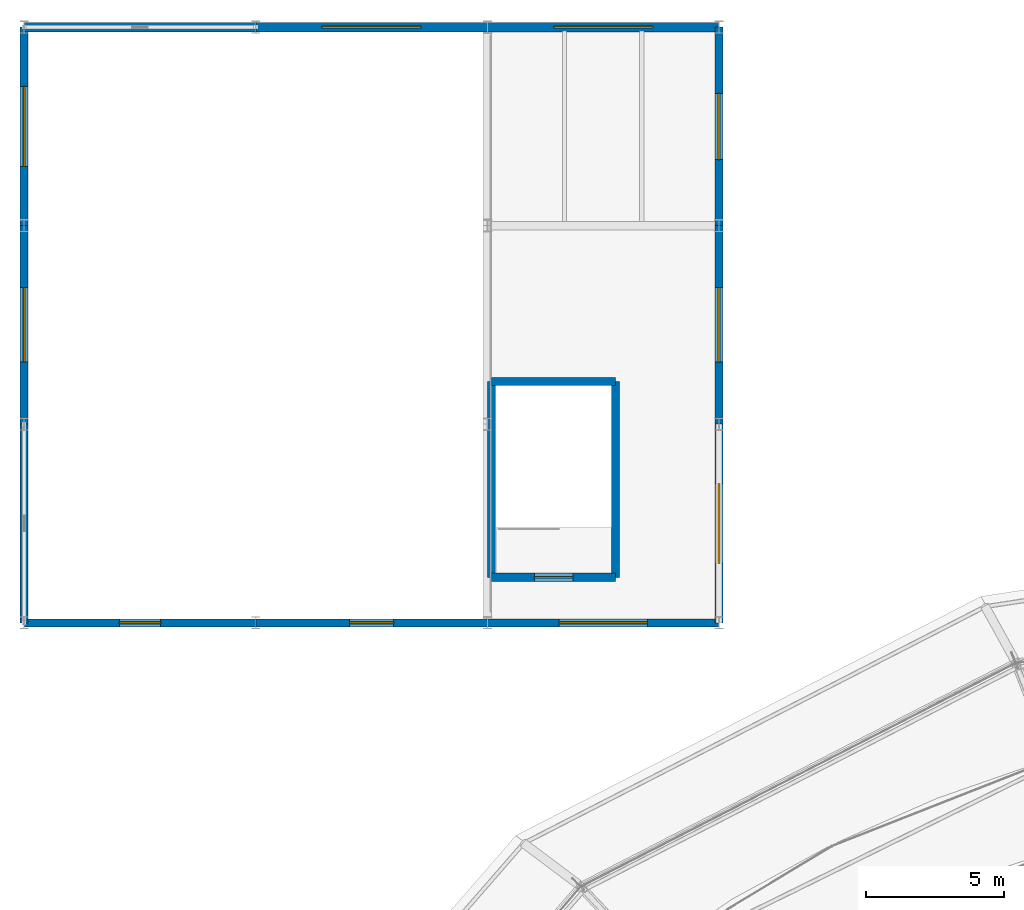
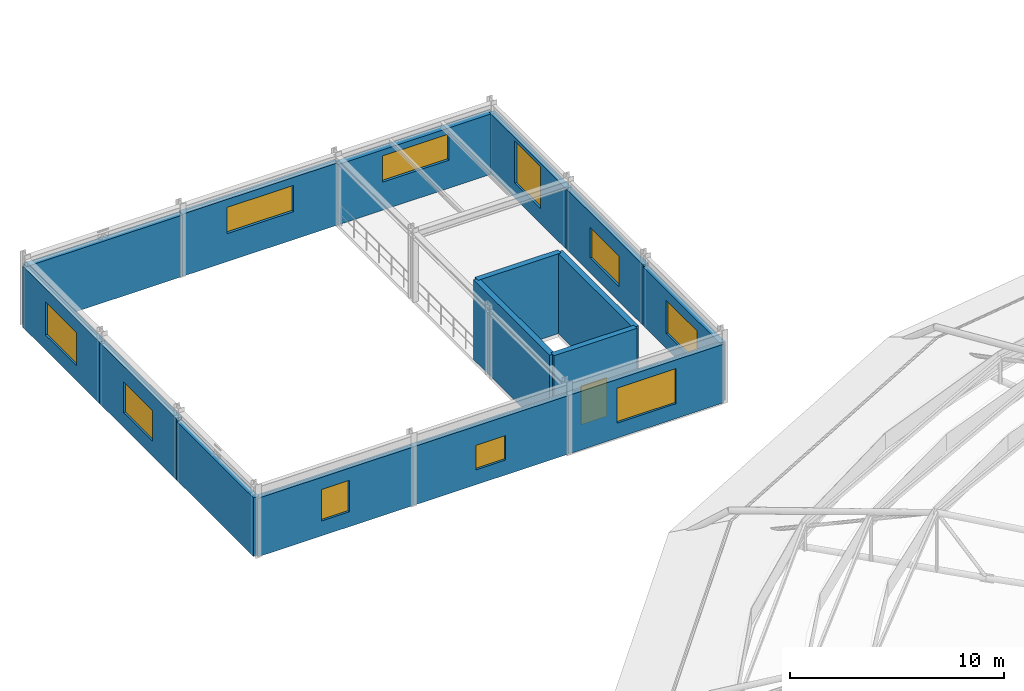
# One storey, part 128 of 134: 16 walls, 10 windows, 1 door, 11 openings.
"""IFC4 building model written with IfcOpenShell, lengths in metres."""

import ifcopenshell
import ifcopenshell.guid

model = None  # the IFC model being written
_history = None  # IfcOwnerHistory: only IFC2X3 demands one
_inside = {}  # id of a spatial element -> (the spatial element, [elements in it])
_under = {}  # id of a project, library or spatial element -> (it, [spatial elements below it])
_declared = {}  # id of a project -> (the project, [libraries it declares])
_typed = {}  # id of a type object -> (the type object, [elements of that type])
_made_of = {}  # id of a material, layer set ... -> (it, [elements and type objects made of it])


def new_model(schema):
    """Start an empty IFC model of exactly this schema.

    Asked for "IFC4X3", IfcOpenShell would pick the latest addendum, in which some entities
    have other attributes; the version numbers below select the first issue.
    IFC2X3 requires an IfcOwnerHistory on every rooted entity: one is made here for all.
    """
    global model, _history
    if schema == "IFC4X3":
        model = ifcopenshell.file(schema_version=(4, 3, 0, 0))
    else:
        model = ifcopenshell.file(schema=schema)
    _inside.clear()
    _under.clear()
    _declared.clear()
    _typed.clear()
    _made_of.clear()
    _history = None
    if model.schema == "IFC2X3":
        org = make("IfcOrganization", Name="unknown")
        user = make(
            "IfcPersonAndOrganization",
            ThePerson=make("IfcPerson", FamilyName="unknown"),
            TheOrganization=org,
        )
        app = make(
            "IfcApplication",
            ApplicationDeveloper=org,
            Version="unknown",
            ApplicationFullName="unknown",
            ApplicationIdentifier="unknown",
        )
        _history = make(
            "IfcOwnerHistory",
            OwningUser=user,
            OwningApplication=app,
            ChangeAction="ADDED",
            CreationDate=0,
        )
    return model


def make(cls, **values):
    """One entity of the class cls with the attributes given. An attribute that is None is left unset."""
    return model.create_entity(
        cls, **{name: value for name, value in values.items() if value is not None}
    )


def rooted(cls, **values):
    """An entity with a GlobalId (a new one), such as an element, a storey or a relation."""
    return make(cls, GlobalId=ifcopenshell.guid.new(), OwnerHistory=_history, **values)


def si_unit(unit_type, name, prefix=None):
    """IfcSIUnit, for example si_unit("LENGTHUNIT", "METRE", prefix="MILLI")."""
    return make("IfcSIUnit", UnitType=unit_type, Prefix=prefix, Name=name)


def derived_unit(unit_type, elements):
    """IfcDerivedUnit: a product of units, each with its exponent."""
    return make(
        "IfcDerivedUnit",
        Elements=[
            make("IfcDerivedUnitElement", Unit=unit, Exponent=power)
            for unit, power in elements
        ],
        UnitType=unit_type,
    )


def assignment(units):
    """IfcUnitAssignment: the units of a project."""
    return None if units is None else make("IfcUnitAssignment", Units=units)


def point(xyz):
    """IfcCartesianPoint."""
    return None if xyz is None else make("IfcCartesianPoint", Coordinates=xyz)


def direction(xyz):
    """IfcDirection."""
    return None if xyz is None else make("IfcDirection", DirectionRatios=xyz)


def frame(location, z_axis=None, x_axis=None):
    """IfcAxis2Placement3D, a coordinate frame: its origin and axes. An axis left out is left unset."""
    return make(
        "IfcAxis2Placement3D",
        Location=point(location),
        Axis=direction(z_axis),
        RefDirection=direction(x_axis),
    )


def frame_2d(location, x_axis=None):
    """IfcAxis2Placement2D, a coordinate frame in the plane: its origin and x axis."""
    return make(
        "IfcAxis2Placement2D", Location=point(location), RefDirection=direction(x_axis)
    )


def origin():
    """The frame at (0, 0, 0) with its axes left unset."""
    return frame((0.0, 0.0, 0.0))


def place(relative_to, where):
    """IfcLocalPlacement: puts the frame where relative to a parent placement (None: the world)."""
    return make(
        "IfcLocalPlacement", PlacementRelTo=relative_to, RelativePlacement=where
    )


def context(
    kind, dimensions, precision=None, world=None, true_north=None, identifier=None
):
    """IfcGeometricRepresentationContext, for example the 3D "Model" context."""
    return make(
        "IfcGeometricRepresentationContext",
        ContextIdentifier=identifier,
        ContextType=kind,
        CoordinateSpaceDimension=dimensions,
        Precision=precision,
        WorldCoordinateSystem=world,
        TrueNorth=true_north,
    )


def subcontext(parent, identifier, kind, view, scale=None):
    """IfcGeometricRepresentationSubContext, for example "Body" below "Model"."""
    return make(
        "IfcGeometricRepresentationSubContext",
        ContextIdentifier=identifier,
        ContextType=kind,
        ParentContext=parent,
        TargetScale=scale,
        TargetView=view,
    )


def project(units=None, contexts=None):
    """IfcProject with its units and contexts."""
    return rooted(
        "IfcProject",
        Name="project",
        RepresentationContexts=contexts,
        UnitsInContext=assignment(units),
    )


def spatial(cls, under=None, at=None, **own):
    """A site, building, storey or space (cls), placed at a placement, below another one or the project."""
    s = rooted(cls, ObjectPlacement=at, **own)
    if under is not None:
        _under.setdefault(under.id(), (under, []))[1].append(s)
    return s


def profile(cls, at=None, kind="AREA", **sizes):
    """A parametric profile (cls). Its sizes go by their IFC names, for example OverallWidth=200.0."""
    return make(cls, ProfileType=kind, Position=at, **sizes)


def rectangle(**sizes):
    """IfcRectangleProfileDef."""
    return profile("IfcRectangleProfileDef", **sizes)


def extrude(swept, where, along, depth):
    """IfcExtrudedAreaSolid: the profile swept, set in the frame where, extruded along a direction by depth."""
    return make(
        "IfcExtrudedAreaSolid",
        SweptArea=swept,
        Position=where,
        ExtrudedDirection=direction(along),
        Depth=depth,
    )


def shape(context_of_items, identifier, shape_type, items):
    """IfcShapeRepresentation: the items that make up one representation, for example the "Body"."""
    return make(
        "IfcShapeRepresentation",
        ContextOfItems=context_of_items,
        RepresentationIdentifier=identifier,
        RepresentationType=shape_type,
        Items=items,
    )


def material(Name=None, Category=None):
    """IfcMaterial."""
    return make("IfcMaterial", Name=Name, Category=Category)


def layer(
    of_material, thickness, ventilated=None, Name=None, Category=None, Priority=None
):
    """IfcMaterialLayer: one layer of a wall or slab, of a material (None: an air gap)."""
    return make(
        "IfcMaterialLayer",
        Material=of_material,
        LayerThickness=thickness,
        IsVentilated=ventilated,
        Name=Name,
        Category=Category,
        Priority=Priority,
    )


def layer_set(layers, Name=None):
    """IfcMaterialLayerSet."""
    return make("IfcMaterialLayerSet", MaterialLayers=layers, LayerSetName=Name)


def made_of(thing, what):
    """Note that an element or type object is made of a material, layer set ...; save() writes the relation."""
    if what is not None:
        _made_of.setdefault(what.id(), (what, []))[1].append(thing)
    return thing


def type_object(cls, material=None, **own):
    """A type object (cls), such as IfcWallType, which elements share."""
    return made_of(rooted(cls, **own), material)


def element(
    cls,
    number,
    at=None,
    inside=None,
    cuts=None,
    type_object=None,
    material=None,
    context=None,
    identifier="Body",
    shape_type=None,
    held_by="IfcProductDefinitionShape",
    body=None,
    shapes=None,
    **own,
):
    """One element of the class cls, such as IfcWall. Its Tag is "e" and its number.

    at: its placement. inside: the storey or other place that contains it. cuts: it is an
    opening in that element (IfcRelVoidsElement). A single representation is given by context,
    identifier, shape_type and body (its items); several are given by shapes. held_by: the class
    of the entity that holds the representations. save() writes the other relations.
    """
    e = rooted(cls, Tag="e%d" % number, ObjectPlacement=at, **own)
    if body is not None:
        shapes = [shape(context, identifier, shape_type, body)]
    if shapes is not None:
        e.Representation = make(held_by, Representations=shapes)
    if inside is not None:
        _inside.setdefault(inside.id(), (inside, []))[1].append(e)
    if cuts is not None:
        rooted(
            "IfcRelVoidsElement", RelatingBuildingElement=cuts, RelatedOpeningElement=e
        )
    if type_object is not None:
        _typed.setdefault(type_object.id(), (type_object, []))[1].append(e)
    return made_of(e, material)


def fill(opening, filler):
    """IfcRelFillsElement: the door or window that sits in an opening."""
    return rooted(
        "IfcRelFillsElement",
        RelatingOpeningElement=opening,
        RelatedBuildingElement=filler,
    )


def aggregate(whole, parts):
    """IfcRelAggregates: a whole, such as a stair, and the parts it consists of."""
    return rooted("IfcRelAggregates", RelatingObject=whole, RelatedObjects=parts)


def save(model, path):
    """Write the relations noted so far, then the file.

    IfcRelAggregates (storeys below a building ...), IfcRelContainedInSpatialStructure (elements
    in a storey), IfcRelDefinesByType, IfcRelAssociatesMaterial and IfcRelDeclares: one each for
    every whole, place, type object, material and project.
    """
    for whole, parts in _under.values():
        aggregate(whole, parts)
    for where, things in _inside.values():
        rooted(
            "IfcRelContainedInSpatialStructure",
            RelatedElements=things,
            RelatingStructure=where,
        )
    for kind, things in _typed.values():
        rooted("IfcRelDefinesByType", RelatedObjects=things, RelatingType=kind)
    for what, things in _made_of.values():
        rooted("IfcRelAssociatesMaterial", RelatedObjects=things, RelatingMaterial=what)
    for by, libraries in _declared.values():
        rooted("IfcRelDeclares", RelatingContext=by, RelatedDefinitions=libraries)
    model.write(path)


model = new_model("IFC4")

# Units and contexts
model_context = context("Model", 3, precision=1e-05, world=origin(), true_north=direction((0.0, 1.0)))
body_context = subcontext(model_context, "Body", "Model", "MODEL_VIEW")
ifc_project = project(units=[si_unit("LENGTHUNIT", "METRE"), si_unit("AREAUNIT", "SQUARE_METRE"), si_unit("VOLUMEUNIT", "CUBIC_METRE"), si_unit("PLANEANGLEUNIT", "RADIAN"), si_unit("MASSUNIT", "GRAM", prefix="KILO"), derived_unit("THERMALTRANSMITTANCEUNIT", [(si_unit("MASSUNIT", "GRAM", prefix="KILO"), 1), (si_unit("TIMEUNIT", "SECOND"), -3), (si_unit("THERMODYNAMICTEMPERATUREUNIT", "KELVIN"), -1)])], contexts=[model_context])

# Site, building, storey
site_placement = place(None, origin())
site = spatial("IfcSite", under=ifc_project, at=site_placement, CompositionType="ELEMENT")
building_placement = place(site_placement, origin())
building = spatial("IfcBuilding", under=site, at=building_placement, Name="Kharveza Railside Sports Centre", CompositionType="ELEMENT")
storey_placement = place(building_placement, frame((0.0, 0.0, 12.89990234375)))
storey = spatial("IfcBuildingStorey", under=building, at=storey_placement, Name="L03", CompositionType="ELEMENT", Elevation=12.89990234375)

# Wall, opening, window
ifc_material_1 = material(Name="Acoustic mineral-wool metal cladding panel")
ifc_layer_1 = layer(ifc_material_1, 0.340087890625, Name="Acoustic mineral-wool metal cladding panel")
ifc_layer_set_1 = layer_set([ifc_layer_1], Name="Acoustic mineral-wool metal cladding panel")
wall_type_1 = type_object("IfcWallType", Name="WL-AC340", PredefinedType="STANDARD", material=ifc_layer_set_1)
wall_1_placement = place(storey_placement, frame((25.199951171875, 108.0, 0.0), z_axis=(0.0, 0.0, 1.0), x_axis=(-1.0, 0.0, 0.0)))
wall_1 = element("IfcWall", 1, at=wall_1_placement, inside=storey, type_object=wall_type_1, Name="WL-EXT-L03-241", PredefinedType="STANDARD", context=body_context, shape_type="SweptSolid", body=[
    extrude(rectangle(XDim=8.39990234375, YDim=0.340087890625, at=frame_2d((4.199951171875, 0.0))), origin(), (0.0, 0.0, 1.0), 3.445068359375),
])
opening_1_placement = place(wall_1_placement, frame((2.39990234375, 0.0, 1.60009765625)))
opening_1 = element("IfcOpeningElement", 2, at=opening_1_placement, cuts=wall_1, Name="Opening WN11", PredefinedType="OPENING", context=body_context, shape_type="SweptSolid", body=[
    extrude(rectangle(XDim=3.60009765625, YDim=1.5, at=frame_2d((1.800048828125, 0.75))), frame((0.0, 0.19482421875, 0.0), z_axis=(0.0, -1.0, 0.0), x_axis=(1.0, 0.0, 0.0)), (0.0, 0.0, 1.0), 0.389892578125),
])
ifc_material_2 = material(Name="Low-E solar-control laminated glass", Category="glass")
window_type_1 = type_object("IfcWindowType", Name="WN-F11", PartitioningType="SINGLE_PANEL", PredefinedType="WINDOW", material=ifc_material_2)
window_1_placement = place(opening_1_placement, origin())
window_1 = element("IfcWindow", 3, at=window_1_placement, inside=storey, type_object=window_type_1, Name="WN-EXT-L03-142", OverallHeight=1.5, OverallWidth=3.60009765625, PartitioningType="SINGLE_PANEL", PredefinedType="WINDOW", context=body_context, shape_type="SweptSolid", body=[
    extrude(rectangle(XDim=3.60009765625, YDim=1.5, at=frame_2d((1.800048828125, 0.75))), frame((0.0, 0.030029296875, 0.0), z_axis=(0.0, -1.0, 0.0), x_axis=(1.0, 0.0, 0.0)), (0.0, 0.0, 1.0), 0.06005859375),
])
fill(opening_1, window_1)

wall_2_placement = place(storey_placement, frame((16.800048828125, 108.0, 0.0), z_axis=(0.0, 0.0, 1.0), x_axis=(-1.0, 0.0, 0.0)))
wall_2 = element("IfcWall", 4, at=wall_2_placement, inside=storey, type_object=wall_type_1, Name="WL-EXT-L03-242", PredefinedType="STANDARD", context=body_context, shape_type="SweptSolid", body=[
    extrude(rectangle(XDim=8.400146484375, YDim=0.340087890625, at=frame_2d((4.2001953125, 0.0))), origin(), (0.0, 0.0, 1.0), 3.55517578125),
])
opening_2_placement = place(wall_2_placement, frame((2.39990234375, 0.0, 1.60009765625)))
opening_2 = element("IfcOpeningElement", 5, at=opening_2_placement, cuts=wall_2, Name="Opening WN11", PredefinedType="OPENING", context=body_context, shape_type="SweptSolid", body=[
    extrude(rectangle(XDim=3.60009765625, YDim=1.5, at=frame_2d((1.800048828125, 0.75))), frame((0.0, 0.19482421875, 0.0), z_axis=(0.0, -1.0, 0.0), x_axis=(1.0, 0.0, 0.0)), (0.0, 0.0, 1.0), 0.389892578125),
])
window_2_placement = place(opening_2_placement, origin())
window_2 = element("IfcWindow", 6, at=window_2_placement, inside=storey, type_object=window_type_1, Name="WN-EXT-L03-143", OverallHeight=1.5, OverallWidth=3.60009765625, PartitioningType="SINGLE_PANEL", PredefinedType="WINDOW", context=body_context, shape_type="SweptSolid", body=[
    extrude(rectangle(XDim=3.60009765625, YDim=1.5, at=frame_2d((1.800048828125, 0.75))), frame((0.0, 0.030029296875, 0.0), z_axis=(0.0, -1.0, 0.0), x_axis=(1.0, 0.0, 0.0)), (0.0, 0.0, 1.0), 0.06005859375),
])
fill(opening_2, window_2)

# Wall
wall_3_placement = place(storey_placement, frame((8.39990234375, 108.0, 0.0), z_axis=(0.0, 0.0, 1.0), x_axis=(-1.0, 0.0, 0.0)))
element("IfcWall", 7, at=wall_3_placement, inside=storey, type_object=wall_type_1, Name="WL-EXT-L03-243", PredefinedType="STANDARD", context=body_context, shape_type="SweptSolid", body=[
    extrude(rectangle(XDim=8.39990234375, YDim=0.340087890625, at=frame_2d((4.199951171875, 0.0))), origin(), (0.0, 0.0, 1.0), 3.505126953125),
])

# Wall, opening, door
ifc_material_3 = material(Name="Concrete C35/45", Category="concrete")
ifc_layer_2 = layer(ifc_material_3, 0.300048828125, Name="Concrete C35/45")
ifc_layer_set_2 = layer_set([ifc_layer_2], Name="Concrete C35/45")
wall_type_2 = type_object("IfcWallType", Name="WL-CR300", PredefinedType="SHEAR", material=ifc_layer_set_2)
wall_4_placement = place(storey_placement, frame((16.949951171875, 88.050048828125, 0.0), z_axis=(0.0, 0.0, 1.0), x_axis=(1.0, 0.0, 0.0)))
wall_4 = element("IfcWall", 8, at=wall_4_placement, inside=storey, type_object=wall_type_2, Name="WL-CORE-ST6-L03-S", PredefinedType="SHEAR", context=body_context, shape_type="SweptSolid", body=[
    extrude(rectangle(XDim=4.5, YDim=0.300048828125, at=frame_2d((2.25, 0.0))), origin(), (0.0, 0.0, 1.0), 4.56005859375),
])
opening_3_placement = place(wall_4_placement, frame((1.550048828125, 0.0, 0.0)))
opening_3 = element("IfcOpeningElement", 9, at=opening_3_placement, cuts=wall_4, Name="Opening D09", PredefinedType="OPENING", context=body_context, shape_type="SweptSolid", body=[
    extrude(rectangle(XDim=1.39990234375, YDim=2.199951171875, at=frame_2d((0.699951171875, 1.10009765625))), frame((0.0, 0.1748046875, 0.0), z_axis=(0.0, -1.0, 0.0), x_axis=(1.0, 0.0, 0.0)), (0.0, 0.0, 1.0), 0.349853515625),
])
ifc_material_4 = material(Name="Fire-rated hardwood door leaf", Category="wood")
door_type = type_object("IfcDoorType", Name="DR-ST02", OperationType="NOTDEFINED", PredefinedType="DOOR", material=ifc_material_4)
door_placement = place(opening_3_placement, frame((1.39990234375, 0.0, 0.0), z_axis=(0.0, 0.0, 1.0), x_axis=(-1.0, 0.0, 0.0)))
door = element("IfcDoor", 10, at=door_placement, inside=storey, type_object=door_type, Name="DR-ST-ST6-L03", OperationType="SINGLE_SWING_LEFT", OverallHeight=2.199951171875, OverallWidth=1.39990234375, PredefinedType="DOOR", context=body_context, shape_type="SweptSolid", body=[
    extrude(rectangle(XDim=1.39990234375, YDim=2.199951171875, at=frame_2d((0.699951171875, 1.10009765625))), frame((0.0, 0.02490234375, 0.0), z_axis=(0.0, -1.0, 0.0), x_axis=(1.0, 0.0, 0.0)), (0.0, 0.0, 1.0), 0.050048828125),
])
fill(opening_3, door)

# Walls
wall_5_placement = place(storey_placement, frame((21.449951171875, 88.050048828125, 0.0), z_axis=(0.0, 0.0, 1.0), x_axis=(0.0, 1.0, 0.0)))
element("IfcWall", 11, at=wall_5_placement, inside=storey, type_object=wall_type_2, Name="WL-CORE-ST6-L03-E", PredefinedType="SHEAR", context=body_context, shape_type="SweptSolid", body=[
    extrude(rectangle(XDim=7.099853515625, YDim=0.300048828125, at=frame_2d((3.5498046875, 0.0))), origin(), (0.0, 0.0, 1.0), 4.56005859375),
])
wall_6_placement = place(storey_placement, frame((21.449951171875, 95.14990234375, 0.0), z_axis=(0.0, 0.0, 1.0), x_axis=(-1.0, 0.0, 0.0)))
element("IfcWall", 12, at=wall_6_placement, inside=storey, type_object=wall_type_2, Name="WL-CORE-ST6-L03-N", PredefinedType="SHEAR", context=body_context, shape_type="SweptSolid", body=[
    extrude(rectangle(XDim=4.5, YDim=0.300048828125, at=frame_2d((2.25, 0.0))), origin(), (0.0, 0.0, 1.0), 4.56005859375),
])
wall_7_placement = place(storey_placement, frame((16.949951171875, 95.14990234375, 0.0), z_axis=(0.0, 0.0, 1.0), x_axis=(0.0, -1.0, 0.0)))
element("IfcWall", 13, at=wall_7_placement, inside=storey, type_object=wall_type_2, Name="WL-CORE-ST6-L03-W", PredefinedType="SHEAR", context=body_context, shape_type="SweptSolid", body=[
    extrude(rectangle(XDim=7.099853515625, YDim=0.300048828125, at=frame_2d((3.5498046875, 0.0))), origin(), (0.0, 0.0, 1.0), 4.56005859375),
])

# Wall, opening, window
ifc_layer_3 = layer(ifc_material_1, 0.2900390625, Name="Acoustic mineral-wool metal cladding panel")
ifc_layer_set_3 = layer_set([ifc_layer_3], Name="Acoustic mineral-wool metal cladding panel")
wall_type_3 = type_object("IfcWallType", Name="WL-EX290", PredefinedType="STANDARD", material=ifc_layer_set_3)
wall_8_placement = place(storey_placement, frame((0.0, 108.0, 0.0), z_axis=(0.0, 0.0, 1.0), x_axis=(0.0, -1.0, 0.0)))
wall_8 = element("IfcWall", 14, at=wall_8_placement, inside=storey, type_object=wall_type_3, Name="WL-EXT-L03-232", PredefinedType="STANDARD", context=body_context, shape_type="SweptSolid", body=[
    extrude(rectangle(XDim=7.199951171875, YDim=0.2900390625, at=frame_2d((3.60009765625, 0.0))), origin(), (0.0, 0.0, 1.0), 3.505126953125),
])
opening_4_placement = place(wall_8_placement, frame((2.14990234375, 0.0, 0.85009765625)))
opening_4 = element("IfcOpeningElement", 15, at=opening_4_placement, cuts=wall_8, Name="Opening WN19", PredefinedType="OPENING", context=body_context, shape_type="SweptSolid", body=[
    extrude(rectangle(XDim=2.89990234375, YDim=1.89990234375, at=frame_2d((1.449951171875, 0.949951171875))), frame((0.0, 0.169921875, 0.0), z_axis=(0.0, -1.0, 0.0), x_axis=(1.0, 0.0, 0.0)), (0.0, 0.0, 1.0), 0.33984375),
])
window_type_2 = type_object("IfcWindowType", Name="WN-Z03", PartitioningType="SINGLE_PANEL", PredefinedType="WINDOW", material=ifc_material_2)
window_3_placement = place(opening_4_placement, origin())
window_3 = element("IfcWindow", 16, at=window_3_placement, inside=storey, type_object=window_type_2, Name="WN-EXT-L03-134", OverallHeight=1.89990234375, OverallWidth=2.89990234375, PartitioningType="SINGLE_PANEL", PredefinedType="WINDOW", context=body_context, shape_type="SweptSolid", body=[
    extrude(rectangle(XDim=2.89990234375, YDim=1.89990234375, at=frame_2d((1.449951171875, 0.949951171875))), frame((0.0, 0.030029296875, 0.0), z_axis=(0.0, -1.0, 0.0), x_axis=(1.0, 0.0, 0.0)), (0.0, 0.0, 1.0), 0.06005859375),
])
fill(opening_4, window_3)

wall_9_placement = place(storey_placement, frame((0.0, 100.800048828125, 0.0), z_axis=(0.0, 0.0, 1.0), x_axis=(0.0, -1.0, 0.0)))
wall_9 = element("IfcWall", 17, at=wall_9_placement, inside=storey, type_object=wall_type_3, Name="WL-EXT-L03-233", PredefinedType="STANDARD", context=body_context, shape_type="SweptSolid", body=[
    extrude(rectangle(XDim=7.199951171875, YDim=0.2900390625, at=frame_2d((3.60009765625, 0.0))), origin(), (0.0, 0.0, 1.0), 3.505126953125),
])
opening_5_placement = place(wall_9_placement, frame((2.25, 0.0, 0.85009765625)))
opening_5 = element("IfcOpeningElement", 18, at=opening_5_placement, cuts=wall_9, Name="Opening WN20", PredefinedType="OPENING", context=body_context, shape_type="SweptSolid", body=[
    extrude(rectangle(XDim=2.699951171875, YDim=1.75, at=frame_2d((1.35009765625, 0.875))), frame((0.0, 0.169921875, 0.0), z_axis=(0.0, -1.0, 0.0), x_axis=(1.0, 0.0, 0.0)), (0.0, 0.0, 1.0), 0.33984375),
])
window_type_3 = type_object("IfcWindowType", Name="WN-Z04", PartitioningType="SINGLE_PANEL", PredefinedType="WINDOW", material=ifc_material_2)
window_4_placement = place(opening_5_placement, origin())
window_4 = element("IfcWindow", 19, at=window_4_placement, inside=storey, type_object=window_type_3, Name="WN-EXT-L03-135", OverallHeight=1.75, OverallWidth=2.699951171875, PartitioningType="SINGLE_PANEL", PredefinedType="WINDOW", context=body_context, shape_type="SweptSolid", body=[
    extrude(rectangle(XDim=2.699951171875, YDim=1.75, at=frame_2d((1.35009765625, 0.875))), frame((0.0, 0.030029296875, 0.0), z_axis=(0.0, -1.0, 0.0), x_axis=(1.0, 0.0, 0.0)), (0.0, 0.0, 1.0), 0.06005859375),
])
fill(opening_5, window_4)

# Wall
wall_10_placement = place(storey_placement, frame((0.0, 93.60009765625, 0.0), z_axis=(0.0, 0.0, 1.0), x_axis=(0.0, -1.0, 0.0)))
element("IfcWall", 20, at=wall_10_placement, inside=storey, type_object=wall_type_3, Name="WL-EXT-L03-234", PredefinedType="STANDARD", context=body_context, shape_type="SweptSolid", body=[
    extrude(rectangle(XDim=7.2001953125, YDim=0.2900390625, at=frame_2d((3.60009765625, 0.0))), origin(), (0.0, 0.0, 1.0), 3.34521484375),
])

# Wall, opening, window
wall_11_placement = place(storey_placement, frame((0.0, 86.39990234375, 0.0), z_axis=(0.0, 0.0, 1.0), x_axis=(1.0, 0.0, 0.0)))
wall_11 = element("IfcWall", 21, at=wall_11_placement, inside=storey, type_object=wall_type_3, Name="WL-EXT-L03-235", PredefinedType="STANDARD", context=body_context, shape_type="SweptSolid", body=[
    extrude(rectangle(XDim=8.39990234375, YDim=0.2900390625, at=frame_2d((4.199951171875, 0.0))), origin(), (0.0, 0.0, 1.0), 3.34521484375),
])
opening_6_placement = place(wall_11_placement, frame((3.449951171875, 0.0, 0.85009765625)))
opening_6 = element("IfcOpeningElement", 22, at=opening_6_placement, cuts=wall_11, Name="Opening WN06", PredefinedType="OPENING", context=body_context, shape_type="SweptSolid", body=[
    extrude(rectangle(XDim=1.5, YDim=1.800048828125, at=frame_2d((0.75, 0.89990234375))), frame((0.0, 0.169921875, 0.0), z_axis=(0.0, -1.0, 0.0), x_axis=(1.0, 0.0, 0.0)), (0.0, 0.0, 1.0), 0.33984375),
])
window_type_4 = type_object("IfcWindowType", Name="WN-F06", PartitioningType="SINGLE_PANEL", PredefinedType="WINDOW", material=ifc_material_2)
window_5_placement = place(opening_6_placement, origin())
window_5 = element("IfcWindow", 23, at=window_5_placement, inside=storey, type_object=window_type_4, Name="WN-EXT-L03-136", OverallHeight=1.800048828125, OverallWidth=1.5, PartitioningType="SINGLE_PANEL", PredefinedType="WINDOW", context=body_context, shape_type="SweptSolid", body=[
    extrude(rectangle(XDim=1.5, YDim=1.800048828125, at=frame_2d((0.75, 0.89990234375))), frame((0.0, 0.030029296875, 0.0), z_axis=(0.0, -1.0, 0.0), x_axis=(1.0, 0.0, 0.0)), (0.0, 0.0, 1.0), 0.06005859375),
])
fill(opening_6, window_5)

wall_12_placement = place(storey_placement, frame((8.39990234375, 86.39990234375, 0.0), z_axis=(0.0, 0.0, 1.0), x_axis=(1.0, 0.0, 0.0)))
wall_12 = element("IfcWall", 24, at=wall_12_placement, inside=storey, type_object=wall_type_3, Name="WL-EXT-L03-236", PredefinedType="STANDARD", context=body_context, shape_type="SweptSolid", body=[
    extrude(rectangle(XDim=8.400146484375, YDim=0.2900390625, at=frame_2d((4.2001953125, 0.0))), origin(), (0.0, 0.0, 1.0), 3.34521484375),
])
opening_7_placement = place(wall_12_placement, frame((3.39990234375, 0.0, 0.85009765625)))
opening_7 = element("IfcOpeningElement", 25, at=opening_7_placement, cuts=wall_12, Name="Opening WN14", PredefinedType="OPENING", context=body_context, shape_type="SweptSolid", body=[
    extrude(rectangle(XDim=1.60009765625, YDim=1.39990234375, at=frame_2d((0.800048828125, 0.699951171875))), frame((0.0, 0.169921875, 0.0), z_axis=(0.0, -1.0, 0.0), x_axis=(1.0, 0.0, 0.0)), (0.0, 0.0, 1.0), 0.33984375),
])
window_type_5 = type_object("IfcWindowType", Name="WN-F14", PartitioningType="SINGLE_PANEL", PredefinedType="WINDOW", material=ifc_material_2)
window_6_placement = place(opening_7_placement, origin())
window_6 = element("IfcWindow", 26, at=window_6_placement, inside=storey, type_object=window_type_5, Name="WN-EXT-L03-137", OverallHeight=1.39990234375, OverallWidth=1.60009765625, PartitioningType="SINGLE_PANEL", PredefinedType="WINDOW", context=body_context, shape_type="SweptSolid", body=[
    extrude(rectangle(XDim=1.60009765625, YDim=1.39990234375, at=frame_2d((0.800048828125, 0.699951171875))), frame((0.0, 0.030029296875, 0.0), z_axis=(0.0, -1.0, 0.0), x_axis=(1.0, 0.0, 0.0)), (0.0, 0.0, 1.0), 0.06005859375),
])
fill(opening_7, window_6)

wall_13_placement = place(storey_placement, frame((16.800048828125, 86.39990234375, 0.0), z_axis=(0.0, 0.0, 1.0), x_axis=(1.0, 0.0, 0.0)))
wall_13 = element("IfcWall", 27, at=wall_13_placement, inside=storey, type_object=wall_type_3, Name="WL-EXT-L03-237", PredefinedType="STANDARD", context=body_context, shape_type="SweptSolid", body=[
    extrude(rectangle(XDim=8.39990234375, YDim=0.2900390625, at=frame_2d((4.199951171875, 0.0))), origin(), (0.0, 0.0, 1.0), 3.34521484375),
])
opening_8_placement = place(wall_13_placement, frame((2.60009765625, 0.0, 0.85009765625)))
opening_8 = element("IfcOpeningElement", 28, at=opening_8_placement, cuts=wall_13, Name="Opening WN18", PredefinedType="OPENING", context=body_context, shape_type="SweptSolid", body=[
    extrude(rectangle(XDim=3.199951171875, YDim=2.0, at=frame_2d((1.60009765625, 1.0))), frame((0.0, 0.169921875, 0.0), z_axis=(0.0, -1.0, 0.0), x_axis=(1.0, 0.0, 0.0)), (0.0, 0.0, 1.0), 0.33984375),
])
window_type_6 = type_object("IfcWindowType", Name="WN-Z02", PartitioningType="SINGLE_PANEL", PredefinedType="WINDOW", material=ifc_material_2)
window_7_placement = place(opening_8_placement, origin())
window_7 = element("IfcWindow", 29, at=window_7_placement, inside=storey, type_object=window_type_6, Name="WN-EXT-L03-138", OverallHeight=2.0, OverallWidth=3.199951171875, PartitioningType="SINGLE_PANEL", PredefinedType="WINDOW", context=body_context, shape_type="SweptSolid", body=[
    extrude(rectangle(XDim=3.199951171875, YDim=2.0, at=frame_2d((1.60009765625, 1.0))), frame((0.0, 0.030029296875, 0.0), z_axis=(0.0, -1.0, 0.0), x_axis=(1.0, 0.0, 0.0)), (0.0, 0.0, 1.0), 0.06005859375),
])
fill(opening_8, window_7)

wall_14_placement = place(storey_placement, frame((25.199951171875, 86.39990234375, 0.0), z_axis=(0.0, 0.0, 1.0), x_axis=(0.0, 1.0, 0.0)))
wall_14 = element("IfcWall", 30, at=wall_14_placement, inside=storey, type_object=wall_type_3, Name="WL-EXT-L03-238", PredefinedType="STANDARD", context=body_context, shape_type="SweptSolid", body=[
    extrude(rectangle(XDim=7.2001953125, YDim=0.2900390625, at=frame_2d((3.60009765625, 0.0))), origin(), (0.0, 0.0, 1.0), 3.34521484375),
])
opening_9_placement = place(wall_14_placement, frame((2.14990234375, 0.0, 0.85009765625)))
opening_9 = element("IfcOpeningElement", 31, at=opening_9_placement, cuts=wall_14, Name="Opening WN19", PredefinedType="OPENING", context=body_context, shape_type="SweptSolid", body=[
    extrude(rectangle(XDim=2.89990234375, YDim=1.89990234375, at=frame_2d((1.449951171875, 0.949951171875))), frame((0.0, 0.169921875, 0.0), z_axis=(0.0, -1.0, 0.0), x_axis=(1.0, 0.0, 0.0)), (0.0, 0.0, 1.0), 0.33984375),
])
window_8_placement = place(opening_9_placement, origin())
window_8 = element("IfcWindow", 32, at=window_8_placement, inside=storey, type_object=window_type_2, Name="WN-EXT-L03-139", OverallHeight=1.89990234375, OverallWidth=2.89990234375, PartitioningType="SINGLE_PANEL", PredefinedType="WINDOW", context=body_context, shape_type="SweptSolid", body=[
    extrude(rectangle(XDim=2.89990234375, YDim=1.89990234375, at=frame_2d((1.449951171875, 0.949951171875))), frame((0.0, 0.030029296875, 0.0), z_axis=(0.0, -1.0, 0.0), x_axis=(1.0, 0.0, 0.0)), (0.0, 0.0, 1.0), 0.06005859375),
])
fill(opening_9, window_8)

wall_15_placement = place(storey_placement, frame((25.199951171875, 93.60009765625, 0.0), z_axis=(0.0, 0.0, 1.0), x_axis=(0.0, 1.0, 0.0)))
wall_15 = element("IfcWall", 33, at=wall_15_placement, inside=storey, type_object=wall_type_3, Name="WL-EXT-L03-239", PredefinedType="STANDARD", context=body_context, shape_type="SweptSolid", body=[
    extrude(rectangle(XDim=7.199951171875, YDim=0.2900390625, at=frame_2d((3.60009765625, 0.0))), origin(), (0.0, 0.0, 1.0), 3.445068359375),
])
opening_10_placement = place(wall_15_placement, frame((2.25, 0.0, 0.85009765625)))
opening_10 = element("IfcOpeningElement", 34, at=opening_10_placement, cuts=wall_15, Name="Opening WN20", PredefinedType="OPENING", context=body_context, shape_type="SweptSolid", body=[
    extrude(rectangle(XDim=2.699951171875, YDim=1.75, at=frame_2d((1.35009765625, 0.875))), frame((0.0, 0.169921875, 0.0), z_axis=(0.0, -1.0, 0.0), x_axis=(1.0, 0.0, 0.0)), (0.0, 0.0, 1.0), 0.33984375),
])
window_9_placement = place(opening_10_placement, origin())
window_9 = element("IfcWindow", 35, at=window_9_placement, inside=storey, type_object=window_type_3, Name="WN-EXT-L03-140", OverallHeight=1.75, OverallWidth=2.699951171875, PartitioningType="SINGLE_PANEL", PredefinedType="WINDOW", context=body_context, shape_type="SweptSolid", body=[
    extrude(rectangle(XDim=2.699951171875, YDim=1.75, at=frame_2d((1.35009765625, 0.875))), frame((0.0, 0.030029296875, 0.0), z_axis=(0.0, -1.0, 0.0), x_axis=(1.0, 0.0, 0.0)), (0.0, 0.0, 1.0), 0.06005859375),
])
fill(opening_10, window_9)

wall_16_placement = place(storey_placement, frame((25.199951171875, 100.800048828125, 0.0), z_axis=(0.0, 0.0, 1.0), x_axis=(0.0, 1.0, 0.0)))
wall_16 = element("IfcWall", 36, at=wall_16_placement, inside=storey, type_object=wall_type_3, Name="WL-EXT-L03-240", PredefinedType="STANDARD", context=body_context, shape_type="SweptSolid", body=[
    extrude(rectangle(XDim=7.199951171875, YDim=0.2900390625, at=frame_2d((3.60009765625, 0.0))), origin(), (0.0, 0.0, 1.0), 3.445068359375),
])
opening_11_placement = place(wall_16_placement, frame((2.39990234375, 0.0, 0.85009765625)))
opening_11 = element("IfcOpeningElement", 37, at=opening_11_placement, cuts=wall_16, Name="Opening WN03", PredefinedType="OPENING", context=body_context, shape_type="SweptSolid", body=[
    extrude(rectangle(XDim=2.39990234375, YDim=2.39990234375, at=frame_2d((1.199951171875, 1.199951171875))), frame((0.0, 0.169921875, 0.0), z_axis=(0.0, -1.0, 0.0), x_axis=(1.0, 0.0, 0.0)), (0.0, 0.0, 1.0), 0.33984375),
])
window_type_7 = type_object("IfcWindowType", Name="WN-F03", PartitioningType="SINGLE_PANEL", PredefinedType="WINDOW", material=ifc_material_2)
window_10_placement = place(opening_11_placement, origin())
window_10 = element("IfcWindow", 38, at=window_10_placement, inside=storey, type_object=window_type_7, Name="WN-EXT-L03-141", OverallHeight=2.39990234375, OverallWidth=2.39990234375, PartitioningType="SINGLE_PANEL", PredefinedType="WINDOW", context=body_context, shape_type="SweptSolid", body=[
    extrude(rectangle(XDim=2.39990234375, YDim=2.39990234375, at=frame_2d((1.199951171875, 1.199951171875))), frame((0.0, 0.030029296875, 0.0), z_axis=(0.0, -1.0, 0.0), x_axis=(1.0, 0.0, 0.0)), (0.0, 0.0, 1.0), 0.06005859375),
])
fill(opening_11, window_10)

save(model, "model.ifc")
